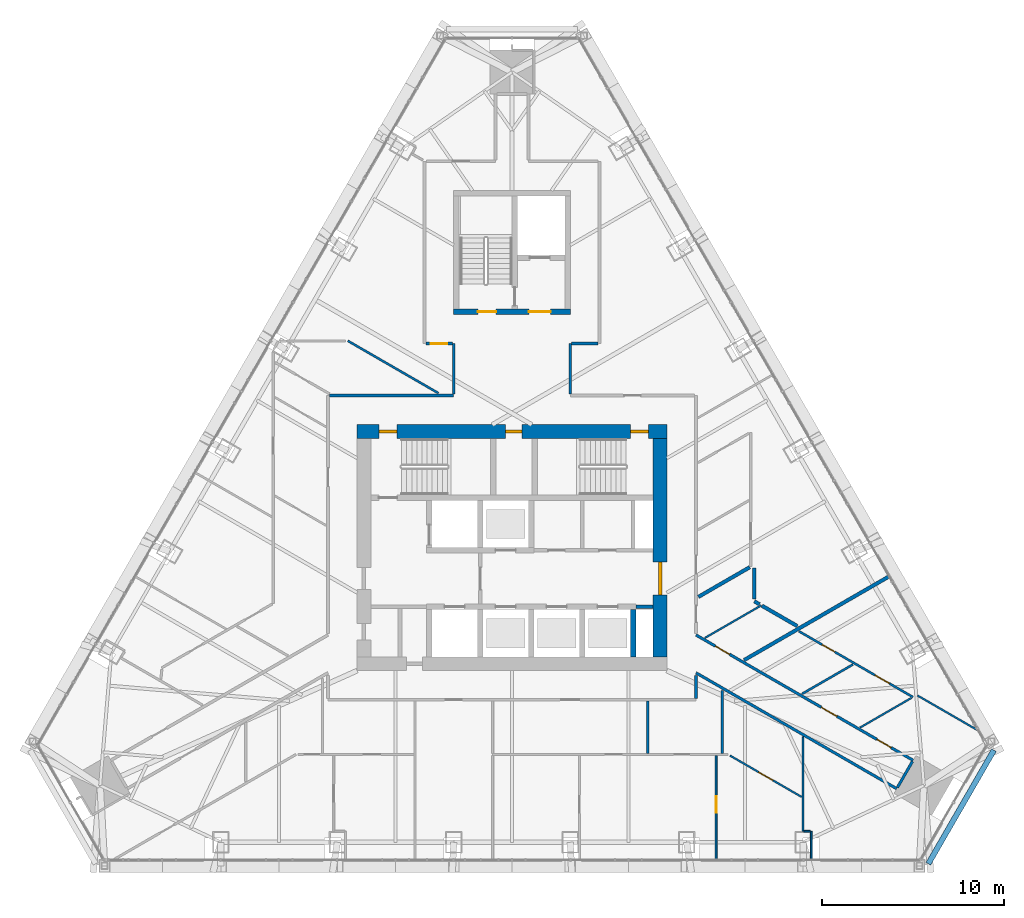
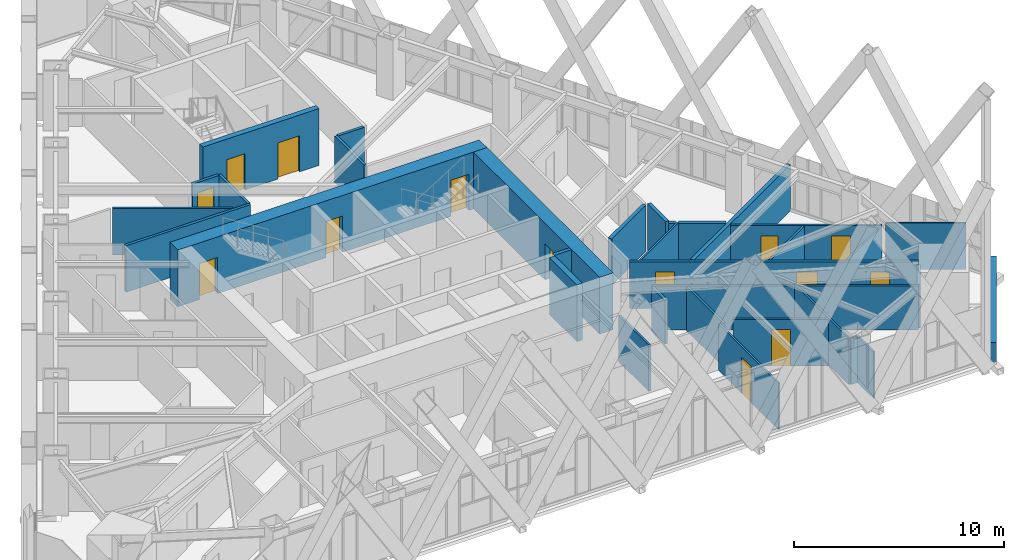
# One storey, part 18 of 21: 33 walls, 14 doors, 14 openings.
"""IFC4 building model written with IfcOpenShell, lengths in metres."""

from ifc_helpers import new_model, si_unit, direction, frame, frame_2d, origin, place, context, subcontext, project, spatial, rectangle, extrude, material, layer, layer_set, type_object, element, fill, save


model = new_model("IFC4")

# Units and contexts
model_context = context("Model", 3, precision=1e-05, world=origin(), true_north=direction((0.0, 1.0)))
body_context = subcontext(model_context, "Body", "Model", "MODEL_VIEW")
ifc_project = project(units=[si_unit("LENGTHUNIT", "METRE"), si_unit("AREAUNIT", "SQUARE_METRE"), si_unit("VOLUMEUNIT", "CUBIC_METRE"), si_unit("PLANEANGLEUNIT", "RADIAN"), si_unit("MASSUNIT", "GRAM", prefix="KILO")], contexts=[model_context])

# Site, building, storey
site_placement = place(None, origin())
site = spatial("IfcSite", under=ifc_project, at=site_placement, CompositionType="ELEMENT")
building_placement = place(site_placement, origin())
building = spatial("IfcBuilding", under=site, at=building_placement, Name="Firuza Gate Tower and Library", CompositionType="ELEMENT")
storey_placement = place(building_placement, frame((0.0, 0.0, 281.10009765625)))
storey = spatial("IfcBuildingStorey", under=building, at=storey_placement, Name="L67", CompositionType="ELEMENT", Elevation=281.10009765625)

# Walls
ifc_material_1 = material(Name="Plasterboard on steel studs", Category="steel")
ifc_layer_1 = layer(ifc_material_1, 0.199951171875)
ifc_layer_set_1 = layer_set([ifc_layer_1], Name="Core partition 200 EI 120")
wall_type_1 = type_object("IfcWallType", Name="Core partition 200 EI 120", PredefinedType="PARTITIONING", material=ifc_layer_set_1)
wall_1_placement = place(storey_placement, frame((81.800048828125, 71.75, 0.0), z_axis=(0.0, 0.0, 1.0), x_axis=(1.0, 0.0, 0.0)))
element("IfcWall", 1, at=wall_1_placement, inside=storey, type_object=wall_type_1, Name="Core partition L67 2", PredefinedType="PARTITIONING", context=body_context, shape_type="SweptSolid", body=[
    extrude(rectangle(XDim=0.949951171875, YDim=0.199951171875, at=frame_2d((0.47509765625, 0.0))), origin(), (0.0, 0.0, 1.0), 3.2998046875),
])
ifc_material_2 = material(Name="Concrete C60/75", Category="concrete")
ifc_layer_2 = layer(ifc_material_2, 0.300048828125)
ifc_layer_set_2 = layer_set([ifc_layer_2], Name="Core wall 300 C60/75")
wall_type_2 = type_object("IfcWallType", Name="Core wall 300 C60/75", PredefinedType="SHEAR", material=ifc_layer_set_2)
wall_2_placement = place(storey_placement, frame((81.64990234375, 69.0, 0.0), z_axis=(0.0, 0.0, 1.0), x_axis=(0.0, 1.0, 0.0)))
element("IfcWall", 2, at=wall_2_placement, inside=storey, type_object=wall_type_2, Name="Core wall L67 14", PredefinedType="SHEAR", context=body_context, shape_type="SweptSolid", body=[
    extrude(rectangle(XDim=2.60009765625, YDim=0.300048828125, at=frame_2d((1.300048828125, 0.0))), origin(), (0.0, 0.0, 1.0), 3.2998046875),
])

# Wall, openings, doors
wall_3_placement = place(storey_placement, frame((71.800048828125, 87.949951171875, 0.0), z_axis=(0.0, 0.0, 1.0), x_axis=(1.0, 0.0, 0.0)))
wall_3 = element("IfcWall", 3, at=wall_3_placement, inside=storey, type_object=wall_type_2, Name="Core wall L67 18", PredefinedType="SHEAR", context=body_context, shape_type="SweptSolid", body=[
    extrude(rectangle(XDim=6.39990234375, YDim=0.300048828125, at=frame_2d((3.199951171875, 0.0))), origin(), (0.0, 0.0, 1.0), 3.2998046875),
])
opening_1_placement = place(wall_3_placement, frame((1.324951171875, 0.0, 0.0)))
opening_1 = element("IfcOpeningElement", 4, at=opening_1_placement, cuts=wall_3, Name="Opening L67-K11", PredefinedType="OPENING", context=body_context, shape_type="SweptSolid", body=[
    extrude(rectangle(XDim=1.0, YDim=2.10009765625, at=frame_2d((0.5, 1.050048828125))), frame((0.0, 0.16015625, 0.0), z_axis=(0.0, -1.0, 0.0), x_axis=(1.0, 0.0, 0.0)), (0.0, 0.0, 1.0), 0.320068359375),
])
opening_2_placement = place(wall_3_placement, frame((4.125, 0.0, 0.0)))
opening_2 = element("IfcOpeningElement", 5, at=opening_2_placement, cuts=wall_3, Name="Opening L67-K13", PredefinedType="OPENING", context=body_context, shape_type="SweptSolid", body=[
    extrude(rectangle(XDim=1.199951171875, YDim=2.10009765625, at=frame_2d((0.60009765625, 1.050048828125))), frame((0.0, 0.16015625, 0.0), z_axis=(0.0, -1.0, 0.0), x_axis=(1.0, 0.0, 0.0)), (0.0, 0.0, 1.0), 0.320068359375),
])
ifc_material_3 = material(Name="Steel", Category="steel")
door_type_1 = type_object("IfcDoorType", Name="Fire door 1000x2100 FD90", OperationType="NOTDEFINED", PredefinedType="DOOR", material=ifc_material_3)
door_1_placement = place(opening_1_placement, origin())
door_1 = element("IfcDoor", 6, at=door_1_placement, inside=storey, type_object=door_type_1, Name="Door L67-K11", OperationType="SINGLE_SWING_RIGHT", OverallHeight=2.10009765625, OverallWidth=1.0, PredefinedType="DOOR", context=body_context, shape_type="SweptSolid", body=[
    extrude(rectangle(XDim=1.0, YDim=2.10009765625, at=frame_2d((0.5, 1.050048828125))), frame((0.0, 0.02490234375, 0.0), z_axis=(0.0, -1.0, 0.0), x_axis=(1.0, 0.0, 0.0)), (0.0, 0.0, 1.0), 0.050048828125),
])
fill(opening_1, door_1)
ifc_material_4 = material(Name="Steel", Category="steel")
door_type_2 = type_object("IfcDoorType", Name="Fire door 1200x2100 FD30S", OperationType="NOTDEFINED", PredefinedType="DOOR", material=ifc_material_4)
door_2_placement = place(opening_2_placement, origin())
door_2 = element("IfcDoor", 7, at=door_2_placement, inside=storey, type_object=door_type_2, Name="Door L67-K13", OperationType="SINGLE_SWING_RIGHT", OverallHeight=2.10009765625, OverallWidth=1.199951171875, PredefinedType="DOOR", context=body_context, shape_type="SweptSolid", body=[
    extrude(rectangle(XDim=1.199951171875, YDim=2.10009765625, at=frame_2d((0.60009765625, 1.050048828125))), frame((0.0, 0.02490234375, 0.0), z_axis=(0.0, -1.0, 0.0), x_axis=(1.0, 0.0, 0.0)), (0.0, 0.0, 1.0), 0.050048828125),
])
fill(opening_2, door_2)

ifc_material_5 = material(Name="Concrete C60/75", Category="concrete")
ifc_layer_3 = layer(ifc_material_5, 0.75)
ifc_layer_set_3 = layer_set([ifc_layer_3], Name="Core wall 750 C60/75")
wall_type_3 = type_object("IfcWallType", Name="Core wall 750 C60/75", PredefinedType="SHEAR", material=ifc_layer_set_3)
wall_4_placement = place(storey_placement, frame((66.5, 81.375, 0.0), z_axis=(0.0, 0.0, 1.0), x_axis=(1.0, 0.0, 0.0)))
wall_4 = element("IfcWall", 8, at=wall_4_placement, inside=storey, type_object=wall_type_3, Name="Core wall L67 2", PredefinedType="SHEAR", context=body_context, shape_type="SweptSolid", body=[
    extrude(rectangle(XDim=17.0, YDim=0.75, at=frame_2d((8.5, 0.0))), origin(), (0.0, 0.0, 1.0), 3.2998046875),
])
opening_3_placement = place(wall_4_placement, frame((1.195068359375, 0.0, 0.0)))
opening_3 = element("IfcOpeningElement", 9, at=opening_3_placement, cuts=wall_4, Name="Opening L67-K09", PredefinedType="OPENING", context=body_context, shape_type="SweptSolid", body=[
    extrude(rectangle(XDim=1.0, YDim=2.10009765625, at=frame_2d((0.5, 1.050048828125))), frame((0.0, 0.385009765625, 0.0), z_axis=(0.0, -1.0, 0.0), x_axis=(1.0, 0.0, 0.0)), (0.0, 0.0, 1.0), 0.77001953125),
])
opening_4_placement = place(wall_4_placement, frame((15.0048828125, 0.0, 0.0)))
opening_4 = element("IfcOpeningElement", 10, at=opening_4_placement, cuts=wall_4, Name="Opening L67-K10", PredefinedType="OPENING", context=body_context, shape_type="SweptSolid", body=[
    extrude(rectangle(XDim=1.0, YDim=2.10009765625, at=frame_2d((0.5, 1.050048828125))), frame((0.0, 0.385009765625, 0.0), z_axis=(0.0, -1.0, 0.0), x_axis=(1.0, 0.0, 0.0)), (0.0, 0.0, 1.0), 0.77001953125),
])
opening_5_placement = place(wall_4_placement, frame((8.14990234375, 0.0, 0.0)))
opening_5 = element("IfcOpeningElement", 11, at=opening_5_placement, cuts=wall_4, Name="Opening L67-K21", PredefinedType="OPENING", context=body_context, shape_type="SweptSolid", body=[
    extrude(rectangle(XDim=0.89990234375, YDim=2.10009765625, at=frame_2d((0.449951171875, 1.050048828125))), frame((0.0, 0.385009765625, 0.0), z_axis=(0.0, -1.0, 0.0), x_axis=(1.0, 0.0, 0.0)), (0.0, 0.0, 1.0), 0.77001953125),
])
door_3_placement = place(opening_3_placement, origin())
door_3 = element("IfcDoor", 12, at=door_3_placement, inside=storey, type_object=door_type_1, Name="Door L67-K09", OperationType="SINGLE_SWING_RIGHT", OverallHeight=2.10009765625, OverallWidth=1.0, PredefinedType="DOOR", context=body_context, shape_type="SweptSolid", body=[
    extrude(rectangle(XDim=1.0, YDim=2.10009765625, at=frame_2d((0.5, 1.050048828125))), frame((0.0, 0.094970703125, 0.0), z_axis=(0.0, -1.0, 0.0), x_axis=(1.0, 0.0, 0.0)), (0.0, 0.0, 1.0), 0.18994140625),
])
fill(opening_3, door_3)
door_4_placement = place(opening_4_placement, origin())
door_4 = element("IfcDoor", 13, at=door_4_placement, inside=storey, type_object=door_type_1, Name="Door L67-K10", OperationType="SINGLE_SWING_LEFT", OverallHeight=2.10009765625, OverallWidth=1.0, PredefinedType="DOOR", context=body_context, shape_type="SweptSolid", body=[
    extrude(rectangle(XDim=1.0, YDim=2.10009765625, at=frame_2d((0.5, 1.050048828125))), frame((0.0, 0.094970703125, 0.0), z_axis=(0.0, -1.0, 0.0), x_axis=(1.0, 0.0, 0.0)), (0.0, 0.0, 1.0), 0.18994140625),
])
fill(opening_4, door_4)
ifc_material_6 = material(Name="Steel", Category="steel")
door_type_3 = type_object("IfcDoorType", Name="Fire door 900x2100 FD30S", OperationType="NOTDEFINED", PredefinedType="DOOR", material=ifc_material_6)
door_5_placement = place(opening_5_placement, origin())
door_5 = element("IfcDoor", 14, at=door_5_placement, inside=storey, type_object=door_type_3, Name="Door L67-K21", OperationType="SINGLE_SWING_RIGHT", OverallHeight=2.10009765625, OverallWidth=0.89990234375, PredefinedType="DOOR", context=body_context, shape_type="SweptSolid", body=[
    extrude(rectangle(XDim=0.89990234375, YDim=2.10009765625, at=frame_2d((0.449951171875, 1.050048828125))), frame((0.0, 0.094970703125, 0.0), z_axis=(0.0, -1.0, 0.0), x_axis=(1.0, 0.0, 0.0)), (0.0, 0.0, 1.0), 0.18994140625),
])
fill(opening_5, door_5)

# Wall, opening, door
wall_5_placement = place(storey_placement, frame((83.125, 69.0, 0.0), z_axis=(0.0, 0.0, 1.0), x_axis=(0.0, 1.0, 0.0)))
wall_5 = element("IfcWall", 15, at=wall_5_placement, inside=storey, type_object=wall_type_3, Name="Core wall L67 4", PredefinedType="SHEAR", context=body_context, shape_type="SweptSolid", body=[
    extrude(rectangle(XDim=12.0, YDim=0.75, at=frame_2d((6.0, 0.0))), origin(), (0.0, 0.0, 1.0), 3.2998046875),
])
opening_6_placement = place(wall_5_placement, frame((3.39990234375, 0.0, 0.0)))
opening_6 = element("IfcOpeningElement", 16, at=opening_6_placement, cuts=wall_5, Name="Opening L67-K16", PredefinedType="OPENING", context=body_context, shape_type="SweptSolid", body=[
    extrude(rectangle(XDim=1.800048828125, YDim=2.10009765625, at=frame_2d((0.89990234375, 1.050048828125))), frame((0.0, 0.385009765625, 0.0), z_axis=(0.0, -1.0, 0.0), x_axis=(1.0, 0.0, 0.0)), (0.0, 0.0, 1.0), 0.77001953125),
])
ifc_material_7 = material(Name="Steel", Category="steel")
door_type_4 = type_object("IfcDoorType", Name="Fire door 1800x2100 FD30S", OperationType="NOTDEFINED", PredefinedType="DOOR", material=ifc_material_7)
door_6_placement = place(opening_6_placement, origin())
door_6 = element("IfcDoor", 17, at=door_6_placement, inside=storey, type_object=door_type_4, Name="Door L67-K16", OperationType="SINGLE_SWING_LEFT", OverallHeight=2.10009765625, OverallWidth=1.800048828125, PredefinedType="DOOR", context=body_context, shape_type="SweptSolid", body=[
    extrude(rectangle(XDim=1.800048828125, YDim=2.10009765625, at=frame_2d((0.89990234375, 1.050048828125))), frame((0.0, 0.094970703125, 0.0), z_axis=(0.0, -1.0, 0.0), x_axis=(1.0, 0.0, 0.0)), (0.0, 0.0, 1.0), 0.18994140625),
])
fill(opening_6, door_6)

# Wall
ifc_material_8 = material(Name="Gypsum board partition")
ifc_layer_4 = layer(ifc_material_8, 0.14990234375)
ifc_layer_set_4 = layer_set([ifc_layer_4], Name="Corridor wall 150 double board on steel studs")
wall_type_4 = type_object("IfcWallType", Name="Corridor wall 150 double board on steel studs", PredefinedType="PARTITIONING", material=ifc_layer_set_4)
wall_6_placement = place(storey_placement, frame((64.97509765625, 83.35009765625, 0.0), z_axis=(0.0, 0.0, 1.0), x_axis=(1.0, 0.0, 0.0)))
element("IfcWall", 18, at=wall_6_placement, inside=storey, type_object=wall_type_4, Name="f:L67:w005", PredefinedType="PARTITIONING", context=body_context, shape_type="SweptSolid", body=[
    extrude(rectangle(XDim=6.824951171875, YDim=0.14990234375, at=frame_2d((3.41259765625, 0.0))), origin(), (0.0, 0.0, 1.0), 2.699951171875),
])

# Wall, opening, door
wall_7_placement = place(storey_placement, frame((70.275634765625, 86.199951171875, 0.0), z_axis=(0.0, 0.0, 1.0), x_axis=(1.0, 0.0, 0.0)))
wall_7 = element("IfcWall", 19, at=wall_7_placement, inside=storey, type_object=wall_type_4, Name="f:L67:w007", PredefinedType="PARTITIONING", context=body_context, shape_type="SweptSolid", body=[
    extrude(rectangle(XDim=1.44921875, YDim=0.14990234375, at=frame_2d((0.724609375, 0.0))), origin(), (0.0, 0.0, 1.0), 2.699951171875),
])
opening_7_placement = place(wall_7_placement, frame((0.274658203125, 0.0, 0.0)))
opening_7 = element("IfcOpeningElement", 20, at=opening_7_placement, cuts=wall_7, Name="Opening L67-08", PredefinedType="OPENING", context=body_context, shape_type="SweptSolid", body=[
    extrude(rectangle(XDim=0.89990234375, YDim=2.10009765625, at=frame_2d((0.449951171875, 1.050048828125))), frame((0.0, 0.0849609375, 0.0), z_axis=(0.0, -1.0, 0.0), x_axis=(1.0, 0.0, 0.0)), (0.0, 0.0, 1.0), 0.169921875),
])
ifc_material_9 = material(Name="Steel door and timber leaf", Category="steel")
door_type_5 = type_object("IfcDoorType", Name="Fire door 900 x 2100 steel frame, timber leaf", OperationType="NOTDEFINED", PredefinedType="DOOR", material=ifc_material_9)
door_7_placement = place(opening_7_placement, origin())
door_7 = element("IfcDoor", 21, at=door_7_placement, inside=storey, type_object=door_type_5, Name="f:L67:d008", OperationType="SINGLE_SWING_RIGHT", OverallHeight=2.10009765625, OverallWidth=0.89990234375, PredefinedType="DOOR", context=body_context, shape_type="SweptSolid", body=[
    extrude(rectangle(XDim=0.89990234375, YDim=2.10009765625, at=frame_2d((0.449951171875, 1.050048828125))), frame((0.0, 0.02490234375, 0.0), z_axis=(0.0, -1.0, 0.0), x_axis=(1.0, 0.0, 0.0)), (0.0, 0.0, 1.0), 0.050048828125),
])
fill(opening_7, door_7)

# Walls
wall_8_placement = place(storey_placement, frame((78.275146484375, 86.199951171875, 0.0), z_axis=(0.0, 0.0, 1.0), x_axis=(1.0, 0.0, 0.0)))
element("IfcWall", 22, at=wall_8_placement, inside=storey, type_object=wall_type_4, Name="f:L67:w008", PredefinedType="PARTITIONING", context=body_context, shape_type="SweptSolid", body=[
    extrude(rectangle(XDim=1.44775390625, YDim=0.14990234375, at=frame_2d((0.723876953125, 0.0))), origin(), (0.0, 0.0, 1.0), 2.699951171875),
])
wall_9_placement = place(storey_placement, frame((96.15283203125, 61.83544921875, 0.0), z_axis=(0.0, 0.0, 1.0), x_axis=(0.500008692254, 0.866020385251, 0.0)))
element("IfcWall", 23, at=wall_9_placement, inside=storey, type_object=wall_type_4, Name="f:L67:w029", PredefinedType="PARTITIONING", context=body_context, shape_type="SweptSolid", body=[
    extrude(rectangle(XDim=1.64892578125, YDim=0.14990234375, at=frame_2d((0.824462890625, 0.0))), origin(), (0.0, 0.0, 1.0), 2.546875),
])
wall_10_placement = place(storey_placement, frame((85.10009765625, 66.72509765625, 0.0), z_axis=(0.0, 0.0, 1.0), x_axis=(0.0, 1.0, 0.0)))
element("IfcWall", 24, at=wall_10_placement, inside=storey, type_object=wall_type_4, Name="f:L67:w041", PredefinedType="PARTITIONING", context=body_context, shape_type="SweptSolid", body=[
    extrude(rectangle(XDim=1.267822265625, YDim=0.14990234375, at=frame_2d((0.6337890625, 0.0))), origin(), (0.0, 0.0, 1.0), 2.546875),
])
for number, where, z_axis, x_axis, name in (
    (25, (78.199951171875, 83.425048828125, 0.0), (0.0, 0.0, 1.0), (0.0, 1.0, 0.0), "f:L67:w046"),
    (26, (71.800048828125, 83.425048828125, 0.0), (0.0, 0.0, 1.0), (0.0, 1.0, 0.0), "f:L67:w052"),
):
    element("IfcWall", number, at=place(storey_placement, frame(where, z_axis=z_axis, x_axis=x_axis)), inside=storey, type_object=wall_type_4, Name=name, PredefinedType="PARTITIONING", context=body_context, shape_type="SweptSolid", body=[
        extrude(rectangle(XDim=2.77490234375, YDim=0.14990234375, at=frame_2d((1.387451171875, 0.0))), origin(), (0.0, 0.0, 1.0), 2.697021484375),
    ])

# Wall, openings, doors
wall_11_placement = place(storey_placement, frame((97.01416015625, 63.329345703125, 0.0), z_axis=(0.0, 0.0, 1.0), x_axis=(-0.866023045711, 0.500004084281, 0.0)))
wall_11 = element("IfcWall", 27, at=wall_11_placement, inside=storey, type_object=wall_type_4, Name="f:L67:w071", PredefinedType="PARTITIONING", context=body_context, shape_type="SweptSolid", body=[
    extrude(rectangle(XDim=13.75732421875, YDim=0.14990234375, at=frame_2d((6.878662109375, 0.0))), origin(), (0.0, 0.0, 1.0), 2.699951171875),
])
opening_8_placement = place(wall_11_placement, frame((1.389892578125, 0.0, 0.0)))
opening_8 = element("IfcOpeningElement", 28, at=opening_8_placement, cuts=wall_11, Name="Opening L67-27", PredefinedType="OPENING", context=body_context, shape_type="SweptSolid", body=[
    extrude(rectangle(XDim=0.89990234375, YDim=2.10009765625, at=frame_2d((0.449951171875, 1.050048828125))), frame((0.0, 0.0849609375, 0.0), z_axis=(0.0, -1.0, 0.0), x_axis=(1.0, 0.0, 0.0)), (0.0, 0.0, 1.0), 0.169921875),
])
opening_9_placement = place(wall_11_placement, frame((4.821044921875, 0.0, 0.0)))
opening_9 = element("IfcOpeningElement", 29, at=opening_9_placement, cuts=wall_11, Name="Opening L67-28", PredefinedType="OPENING", context=body_context, shape_type="SweptSolid", body=[
    extrude(rectangle(XDim=1.0, YDim=2.10009765625, at=frame_2d((0.5, 1.050048828125))), frame((0.0, 0.0849609375, 0.0), z_axis=(0.0, -1.0, 0.0), x_axis=(1.0, 0.0, 0.0)), (0.0, 0.0, 1.0), 0.169921875),
])
opening_10_placement = place(wall_11_placement, frame((11.634033203125, 0.0, 0.0)))
opening_10 = element("IfcOpeningElement", 30, at=opening_10_placement, cuts=wall_11, Name="Opening L67-29", PredefinedType="OPENING", context=body_context, shape_type="SweptSolid", body=[
    extrude(rectangle(XDim=0.89990234375, YDim=2.10009765625, at=frame_2d((0.449951171875, 1.050048828125))), frame((0.0, 0.0849609375, 0.0), z_axis=(0.0, -1.0, 0.0), x_axis=(1.0, 0.0, 0.0)), (0.0, 0.0, 1.0), 0.169921875),
])
ifc_material_10 = material(Name="Steel door and timber leaf", Category="steel")
door_type_6 = type_object("IfcDoorType", Name="Fire door 1000 x 2100 steel frame, timber leaf", OperationType="NOTDEFINED", PredefinedType="DOOR", material=ifc_material_10)
door_8_placement = place(opening_9_placement, origin())
door_8 = element("IfcDoor", 31, at=door_8_placement, inside=storey, type_object=door_type_6, Name="f:L67:d028", OperationType="SINGLE_SWING_LEFT", OverallHeight=2.10009765625, OverallWidth=1.0, PredefinedType="DOOR", context=body_context, shape_type="SweptSolid", body=[
    extrude(rectangle(XDim=1.0, YDim=2.10009765625, at=frame_2d((0.5, 1.050048828125))), frame((0.0, 0.02490234375, 0.0), z_axis=(0.0, -1.0, 0.0), x_axis=(1.0, 0.0, 0.0)), (0.0, 0.0, 1.0), 0.050048828125),
])
fill(opening_9, door_8)
door_9_placement = place(opening_8_placement, origin())
door_9 = element("IfcDoor", 32, at=door_9_placement, inside=storey, type_object=door_type_5, Name="f:L67:d027", OperationType="SINGLE_SWING_LEFT", OverallHeight=2.10009765625, OverallWidth=0.89990234375, PredefinedType="DOOR", context=body_context, shape_type="SweptSolid", body=[
    extrude(rectangle(XDim=0.89990234375, YDim=2.10009765625, at=frame_2d((0.449951171875, 1.050048828125))), frame((0.0, 0.02490234375, 0.0), z_axis=(0.0, -1.0, 0.0), x_axis=(1.0, 0.0, 0.0)), (0.0, 0.0, 1.0), 0.050048828125),
])
fill(opening_8, door_9)
door_10_placement = place(opening_10_placement, origin())
door_10 = element("IfcDoor", 33, at=door_10_placement, inside=storey, type_object=door_type_5, Name="f:L67:d029", OperationType="SINGLE_SWING_LEFT", OverallHeight=2.10009765625, OverallWidth=0.89990234375, PredefinedType="DOOR", context=body_context, shape_type="SweptSolid", body=[
    extrude(rectangle(XDim=0.89990234375, YDim=2.10009765625, at=frame_2d((0.449951171875, 1.050048828125))), frame((0.0, 0.02490234375, 0.0), z_axis=(0.0, -1.0, 0.0), x_axis=(1.0, 0.0, 0.0)), (0.0, 0.0, 1.0), 0.050048828125),
])
fill(opening_10, door_10)

# Walls
wall_12_placement = place(storey_placement, frame((96.1142578125, 61.7705078125, 0.0), z_axis=(0.0, 0.0, 1.0), x_axis=(-0.866021912989, 0.500006046186, 0.0)))
element("IfcWall", 34, at=wall_12_placement, inside=storey, type_object=wall_type_4, Name="f:L67:w073", PredefinedType="PARTITIONING", context=body_context, shape_type="SweptSolid", body=[
    extrude(rectangle(XDim=12.718017578125, YDim=0.14990234375, at=frame_2d((6.35888671875, 0.0))), origin(), (0.0, 0.0, 1.0), 2.546875),
])
ifc_material_11 = material(Name="Gypsum board partition")
ifc_layer_5 = layer(ifc_material_11, 0.199951171875)
ifc_layer_set_5 = layer_set([ifc_layer_5], Name="Demising wall 200 acoustic double stud")
wall_type_5 = type_object("IfcWallType", Name="Demising wall 200 acoustic double stud", PredefinedType="PARTITIONING", material=ifc_layer_set_5)
wall_13_placement = place(storey_placement, frame((87.74072265625, 68.829833984375, 0.0), z_axis=(0.0, 0.0, 1.0), x_axis=(0.866026579827, 0.499997963029, 0.0)))
element("IfcWall", 35, at=wall_13_placement, inside=storey, type_object=wall_type_5, Name="f:L67:w017", PredefinedType="PARTITIONING", context=body_context, shape_type="SweptSolid", body=[
    extrude(rectangle(XDim=9.17919921875, YDim=0.199951171875, at=frame_2d((4.589599609375, 0.0))), origin(), (0.0, 0.0, 1.0), 2.68798828125),
])
wall_14_placement = place(storey_placement, frame((85.226806640625, 72.29736328125, 0.0), z_axis=(0.0, 0.0, 1.0), x_axis=(0.866002113569, 0.500040337666, 0.0)))
element("IfcWall", 36, at=wall_14_placement, inside=storey, type_object=wall_type_5, Name="f:L67:w019", PredefinedType="PARTITIONING", context=body_context, shape_type="SweptSolid", body=[
    extrude(rectangle(XDim=3.257568359375, YDim=0.199951171875, at=frame_2d((1.62890625, 0.0))), origin(), (0.0, 0.0, 1.0), 2.699951171875),
])
wall_15_placement = place(storey_placement, frame((88.300048828125, 72.17138671875, 0.0), z_axis=(0.0, 0.0, 1.0), x_axis=(0.0, 1.0, 0.0)))
element("IfcWall", 37, at=wall_15_placement, inside=storey, type_object=wall_type_5, Name="f:L67:w037", PredefinedType="PARTITIONING", context=body_context, shape_type="SweptSolid", body=[
    extrude(rectangle(XDim=1.7236328125, YDim=0.199951171875, at=frame_2d((0.86181640625, 0.0))), origin(), (0.0, 0.0, 1.0), 2.699951171875),
])
wall_16_placement = place(storey_placement, frame((90.66162109375, 70.692138671875, 0.0), z_axis=(0.0, 0.0, 1.0), x_axis=(-0.866034963436, 0.499983441833, 0.0)))
element("IfcWall", 38, at=wall_16_placement, inside=storey, type_object=wall_type_5, Name="f:L67:w068", PredefinedType="PARTITIONING", context=body_context, shape_type="SweptSolid", body=[
    extrude(rectangle(XDim=2.240234375, YDim=0.199951171875, at=frame_2d((1.1201171875, 0.0))), origin(), (0.0, 0.0, 1.0), 2.699951171875),
])
wall_17_placement = place(storey_placement, frame((88.583984375, 71.8916015625, 0.0), z_axis=(0.0, 0.0, 1.0), x_axis=(-0.865987003449, 0.500066505434, 0.0)))
element("IfcWall", 39, at=wall_17_placement, inside=storey, type_object=wall_type_5, Name="f:L67:w082", PredefinedType="PARTITIONING", context=body_context, shape_type="SweptSolid", body=[
    extrude(rectangle(XDim=0.32763671875, YDim=0.199951171875, at=frame_2d((0.163818359375, 0.0))), origin(), (0.0, 0.0, 1.0), 2.699951171875),
])
ifc_material_12 = material(Name="Gypsum board partition")
ifc_layer_6 = layer(ifc_material_12, 0.10009765625)
ifc_layer_set_6 = layer_set([ifc_layer_6], Name="Partition 100 gypsum board on steel studs")
wall_type_6 = type_object("IfcWallType", Name="Partition 100 gypsum board on steel studs", PredefinedType="PARTITIONING", material=ifc_layer_set_6)
wall_18_placement = place(storey_placement, frame((91.0234375, 59.431884765625, 0.0), z_axis=(0.0, 0.0, 1.0), x_axis=(1.0, 0.0, 0.0)))
element("IfcWall", 40, at=wall_18_placement, inside=storey, type_object=wall_type_6, Name="f:L67:w001", PredefinedType="PARTITIONING", context=body_context, shape_type="SweptSolid", body=[
    extrude(rectangle(XDim=0.349365234375, YDim=0.10009765625, at=frame_2d((0.1748046875, 0.0))), origin(), (0.0, 0.0, 1.0), 2.699951171875),
])
wall_19_placement = place(storey_placement, frame((94.10400390625, 65.126220703125, 0.0), z_axis=(0.0, 0.0, 1.0), x_axis=(0.866000336211, 0.500043415797, 0.0)))
element("IfcWall", 41, at=wall_19_placement, inside=storey, type_object=wall_type_6, Name="f:L67:w015", PredefinedType="PARTITIONING", context=body_context, shape_type="SweptSolid", body=[
    extrude(rectangle(XDim=3.248291015625, YDim=0.10009765625, at=frame_2d((1.6240234375, 0.0))), origin(), (0.0, 0.0, 1.0), 2.699951171875),
])
wall_20_placement = place(storey_placement, frame((85.5849609375, 70.044677734375, 0.0), z_axis=(0.0, 0.0, 1.0), x_axis=(0.866004928679, 0.500035462246, 0.0)))
element("IfcWall", 42, at=wall_20_placement, inside=storey, type_object=wall_type_6, Name="f:L67:w018", PredefinedType="PARTITIONING", context=body_context, shape_type="SweptSolid", body=[
    extrude(rectangle(XDim=3.578369140625, YDim=0.10009765625, at=frame_2d((1.7890625, 0.0))), origin(), (0.0, 0.0, 1.0), 2.699951171875),
])
wall_21_placement = place(storey_placement, frame((91.423095703125, 57.8720703125, 0.0), z_axis=(0.0, 0.0, 1.0), x_axis=(0.0, 1.0, 0.0)))
element("IfcWall", 43, at=wall_21_placement, inside=storey, type_object=wall_type_6, Name="f:L67:w035", PredefinedType="PARTITIONING", context=body_context, shape_type="SweptSolid", body=[
    extrude(rectangle(XDim=1.559326171875, YDim=0.10009765625, at=frame_2d((0.77978515625, 0.0))), origin(), (0.0, 0.0, 1.0), 2.699951171875),
])
wall_22_placement = place(storey_placement, frame((90.972900390625, 59.431884765625, 0.0), z_axis=(0.0, 0.0, 1.0), x_axis=(0.0, 1.0, 0.0)))
element("IfcWall", 44, at=wall_22_placement, inside=storey, type_object=wall_type_6, Name="f:L67:w036", PredefinedType="PARTITIONING", context=body_context, shape_type="SweptSolid", body=[
    extrude(rectangle(XDim=5.18994140625, YDim=0.10009765625, at=frame_2d((2.594970703125, 0.0))), origin(), (0.0, 0.0, 1.0), 2.699951171875),
])

# Wall, opening, door
wall_23_placement = place(storey_placement, frame((86.202880859375, 63.590087890625, 0.0), z_axis=(0.0, 0.0, 1.0), x_axis=(0.0, -1.0, 0.0)))
wall_23 = element("IfcWall", 45, at=wall_23_placement, inside=storey, type_object=wall_type_6, Name="f:L67:w040", PredefinedType="PARTITIONING", context=body_context, shape_type="SweptSolid", body=[
    extrude(rectangle(XDim=5.718017578125, YDim=0.10009765625, at=frame_2d((2.85888671875, 0.0))), origin(), (0.0, 0.0, 1.0), 2.699951171875),
])
opening_11_placement = place(wall_23_placement, frame((2.22900390625, 0.0, 0.0)))
opening_11 = element("IfcOpeningElement", 46, at=opening_11_placement, cuts=wall_23, Name="Opening L67-17", PredefinedType="OPENING", context=body_context, shape_type="SweptSolid", body=[
    extrude(rectangle(XDim=0.89990234375, YDim=2.10009765625, at=frame_2d((0.449951171875, 1.050048828125))), frame((0.0, 0.06005859375, 0.0), z_axis=(0.0, -1.0, 0.0), x_axis=(1.0, 0.0, 0.0)), (0.0, 0.0, 1.0), 0.1201171875),
])
ifc_material_13 = material(Name="Timber door", Category="wood")
door_type_7 = type_object("IfcDoorType", Name="Door 900 x 2100 timber leaf", OperationType="NOTDEFINED", PredefinedType="DOOR", material=ifc_material_13)
door_11_placement = place(opening_11_placement, origin())
door_11 = element("IfcDoor", 47, at=door_11_placement, inside=storey, type_object=door_type_7, Name="f:L67:d017", OperationType="SINGLE_SWING_LEFT", OverallHeight=2.10009765625, OverallWidth=0.89990234375, PredefinedType="DOOR", context=body_context, shape_type="SweptSolid", body=[
    extrude(rectangle(XDim=0.89990234375, YDim=2.10009765625, at=frame_2d((0.449951171875, 1.050048828125))), frame((0.0, 0.02490234375, 0.0), z_axis=(0.0, -1.0, 0.0), x_axis=(1.0, 0.0, 0.0)), (0.0, 0.0, 1.0), 0.050048828125),
])
fill(opening_11, door_11)

# Wall
wall_24_placement = place(storey_placement, frame((100.56640625, 64.9736328125, 0.0), z_axis=(0.0, 0.0, 1.0), x_axis=(-0.8660389038, 0.499976616558, 0.0)))
element("IfcWall", 48, at=wall_24_placement, inside=storey, type_object=wall_type_6, Name="f:L67:w067", PredefinedType="PARTITIONING", context=body_context, shape_type="SweptSolid", body=[
    extrude(rectangle(XDim=3.824951171875, YDim=0.10009765625, at=frame_2d((1.91259765625, 0.0))), origin(), (0.0, 0.0, 1.0), 2.699951171875),
])

# Wall, opening, door
wall_25_placement = place(storey_placement, frame((86.962646484375, 63.590087890625, 0.0), z_axis=(0.0, 0.0, 1.0), x_axis=(0.866028993663, -0.499993782096, 0.0)))
wall_25 = element("IfcWall", 49, at=wall_25_placement, inside=storey, type_object=wall_type_6, Name="f:L67:w074", PredefinedType="PARTITIONING", context=body_context, shape_type="SweptSolid", body=[
    extrude(rectangle(XDim=4.54345703125, YDim=0.10009765625, at=frame_2d((2.271728515625, 0.0))), origin(), (0.0, 0.0, 1.0), 2.699951171875),
])
opening_12_placement = place(wall_25_placement, frame((1.82177734375, 0.0, 0.0)))
opening_12 = element("IfcOpeningElement", 50, at=opening_12_placement, cuts=wall_25, Name="Opening L67-31", PredefinedType="OPENING", context=body_context, shape_type="SweptSolid", body=[
    extrude(rectangle(XDim=0.89990234375, YDim=2.10009765625, at=frame_2d((0.449951171875, 1.050048828125))), frame((0.0, 0.06005859375, 0.0), z_axis=(0.0, -1.0, 0.0), x_axis=(1.0, 0.0, 0.0)), (0.0, 0.0, 1.0), 0.1201171875),
])
door_12_placement = place(opening_12_placement, origin())
door_12 = element("IfcDoor", 51, at=door_12_placement, inside=storey, type_object=door_type_7, Name="f:L67:d031", OperationType="SINGLE_SWING_LEFT", OverallHeight=2.10009765625, OverallWidth=0.89990234375, PredefinedType="DOOR", context=body_context, shape_type="SweptSolid", body=[
    extrude(rectangle(XDim=0.89990234375, YDim=2.10009765625, at=frame_2d((0.449951171875, 1.050048828125))), frame((0.0, 0.02490234375, 0.0), z_axis=(0.0, -1.0, 0.0), x_axis=(1.0, 0.0, 0.0)), (0.0, 0.0, 1.0), 0.050048828125),
])
fill(opening_12, door_12)

# Walls
ifc_material_14 = material(Name="Concrete C40/50", Category="concrete")
ifc_layer_7 = layer(ifc_material_14, 0.300048828125)
ifc_layer_set_7 = layer_set([ifc_layer_7], Name="Terrace parapet 300")
wall_type_7 = type_object("IfcWallType", Name="Terrace parapet 300", PredefinedType="PARAPET", material=ifc_layer_set_7)
wall_26_placement = place(storey_placement, frame((97.848876953125, 57.6513671875, 0.0), z_axis=(0.0, 0.0, 1.0), x_axis=(0.499986626058, 0.866033125095, 0.0)))
element("IfcWall", 52, at=wall_26_placement, inside=storey, type_object=wall_type_7, Name="Parapet L67 2", PredefinedType="PARAPET", context=body_context, shape_type="SweptSolid", body=[
    extrude(rectangle(XDim=7.199951171875, YDim=0.300048828125, at=frame_2d((3.60009765625, 0.0))), origin(), (0.0, 0.0, 1.0), 1.099853515625),
])
ifc_material_15 = material(Name="Gypsum board partition")
ifc_layer_8 = layer(ifc_material_15, 0.1201171875)
ifc_layer_set_8 = layer_set([ifc_layer_8], Name="Wet-area partition 120 moisture-resistant board")
wall_type_8 = type_object("IfcWallType", Name="Wet-area partition 120 moisture-resistant board", PredefinedType="PARTITIONING", material=ifc_layer_set_8)
wall_27_placement = place(storey_placement, frame((90.918212890625, 66.97509765625, 0.0), z_axis=(0.0, 0.0, 1.0), x_axis=(0.86605210011, 0.499953757757, 0.0)))
element("IfcWall", 53, at=wall_27_placement, inside=storey, type_object=wall_type_8, Name="f:L67:w016", PredefinedType="PARTITIONING", context=body_context, shape_type="SweptSolid", body=[
    extrude(rectangle(XDim=3.228271484375, YDim=0.1201171875, at=frame_2d((1.6142578125, 0.0))), origin(), (0.0, 0.0, 1.0), 2.699951171875),
])
wall_28_placement = place(storey_placement, frame((86.5419921875, 63.7099609375, 0.0), z_axis=(0.0, 0.0, 1.0), x_axis=(0.0, 1.0, 0.0)))
element("IfcWall", 54, at=wall_28_placement, inside=storey, type_object=wall_type_8, Name="f:L67:w039", PredefinedType="PARTITIONING", context=body_context, shape_type="SweptSolid", body=[
    extrude(rectangle(XDim=3.46044921875, YDim=0.1201171875, at=frame_2d((1.730224609375, 0.0))), origin(), (0.0, 0.0, 1.0), 2.546875),
])
wall_29_placement = place(storey_placement, frame((82.4541015625, 63.7099609375, 0.0), z_axis=(0.0, 0.0, 1.0), x_axis=(0.0, 1.0, 0.0)))
element("IfcWall", 55, at=wall_29_placement, inside=storey, type_object=wall_type_8, Name="f:L67:w043", PredefinedType="PARTITIONING", context=body_context, shape_type="SweptSolid", body=[
    extrude(rectangle(XDim=2.864990234375, YDim=0.1201171875, at=frame_2d((1.4326171875, 0.0))), origin(), (0.0, 0.0, 1.0), 2.699951171875),
])
wall_30_placement = place(storey_placement, frame((70.9609375, 83.479736328125, 0.0), z_axis=(0.0, 0.0, 1.0), x_axis=(-0.86603330177, 0.499986320039, 0.0)))
element("IfcWall", 56, at=wall_30_placement, inside=storey, type_object=wall_type_8, Name="f:L67:w066", PredefinedType="PARTITIONING", context=body_context, shape_type="SweptSolid", body=[
    extrude(rectangle(XDim=5.739990234375, YDim=0.1201171875, at=frame_2d((2.8701171875, 0.0))), origin(), (0.0, 0.0, 1.0), 2.699951171875),
])

# Wall, openings, doors
wall_31_placement = place(storey_placement, frame((97.003173828125, 66.7998046875, 0.0), z_axis=(0.0, 0.0, 1.0), x_axis=(-0.866012764826, 0.500021890679, 0.0)))
wall_31 = element("IfcWall", 57, at=wall_31_placement, inside=storey, type_object=wall_type_8, Name="f:L67:w069", PredefinedType="PARTITIONING", context=body_context, shape_type="SweptSolid", body=[
    extrude(rectangle(XDim=7.222412109375, YDim=0.1201171875, at=frame_2d((3.611328125, 0.0))), origin(), (0.0, 0.0, 1.0), 2.699951171875),
])
opening_13_placement = place(wall_31_placement, frame((1.49609375, 0.0, 0.0)))
opening_13 = element("IfcOpeningElement", 58, at=opening_13_placement, cuts=wall_31, Name="Opening L67-24", PredefinedType="OPENING", context=body_context, shape_type="SweptSolid", body=[
    extrude(rectangle(XDim=0.89990234375, YDim=2.10009765625, at=frame_2d((0.449951171875, 1.050048828125))), frame((0.0, 0.070068359375, 0.0), z_axis=(0.0, -1.0, 0.0), x_axis=(1.0, 0.0, 0.0)), (0.0, 0.0, 1.0), 0.14013671875),
])
opening_14_placement = place(wall_31_placement, frame((4.95556640625, 0.0, 0.0)))
opening_14 = element("IfcOpeningElement", 59, at=opening_14_placement, cuts=wall_31, Name="Opening L67-25", PredefinedType="OPENING", context=body_context, shape_type="SweptSolid", body=[
    extrude(rectangle(XDim=0.800048828125, YDim=2.10009765625, at=frame_2d((0.39990234375, 1.050048828125))), frame((0.0, 0.070068359375, 0.0), z_axis=(0.0, -1.0, 0.0), x_axis=(1.0, 0.0, 0.0)), (0.0, 0.0, 1.0), 0.14013671875),
])
ifc_material_16 = material(Name="Timber door", Category="wood")
door_type_8 = type_object("IfcDoorType", Name="Door 800 x 2100 timber leaf", OperationType="NOTDEFINED", PredefinedType="DOOR", material=ifc_material_16)
door_13_placement = place(opening_14_placement, origin())
door_13 = element("IfcDoor", 60, at=door_13_placement, inside=storey, type_object=door_type_8, Name="f:L67:d025", OperationType="SINGLE_SWING_RIGHT", OverallHeight=2.10009765625, OverallWidth=0.800048828125, PredefinedType="DOOR", context=body_context, shape_type="SweptSolid", body=[
    extrude(rectangle(XDim=0.800048828125, YDim=2.10009765625, at=frame_2d((0.39990234375, 1.050048828125))), frame((0.0, 0.02490234375, 0.0), z_axis=(0.0, -1.0, 0.0), x_axis=(1.0, 0.0, 0.0)), (0.0, 0.0, 1.0), 0.050048828125),
])
fill(opening_14, door_13)
door_14_placement = place(opening_13_placement, origin())
door_14 = element("IfcDoor", 61, at=door_14_placement, inside=storey, type_object=door_type_7, Name="f:L67:d024", OperationType="SINGLE_SWING_RIGHT", OverallHeight=2.10009765625, OverallWidth=0.89990234375, PredefinedType="DOOR", context=body_context, shape_type="SweptSolid", body=[
    extrude(rectangle(XDim=0.89990234375, YDim=2.10009765625, at=frame_2d((0.449951171875, 1.050048828125))), frame((0.0, 0.02490234375, 0.0), z_axis=(0.0, -1.0, 0.0), x_axis=(1.0, 0.0, 0.0)), (0.0, 0.0, 1.0), 0.050048828125),
])
fill(opening_13, door_14)

save(model, "model.ifc")
